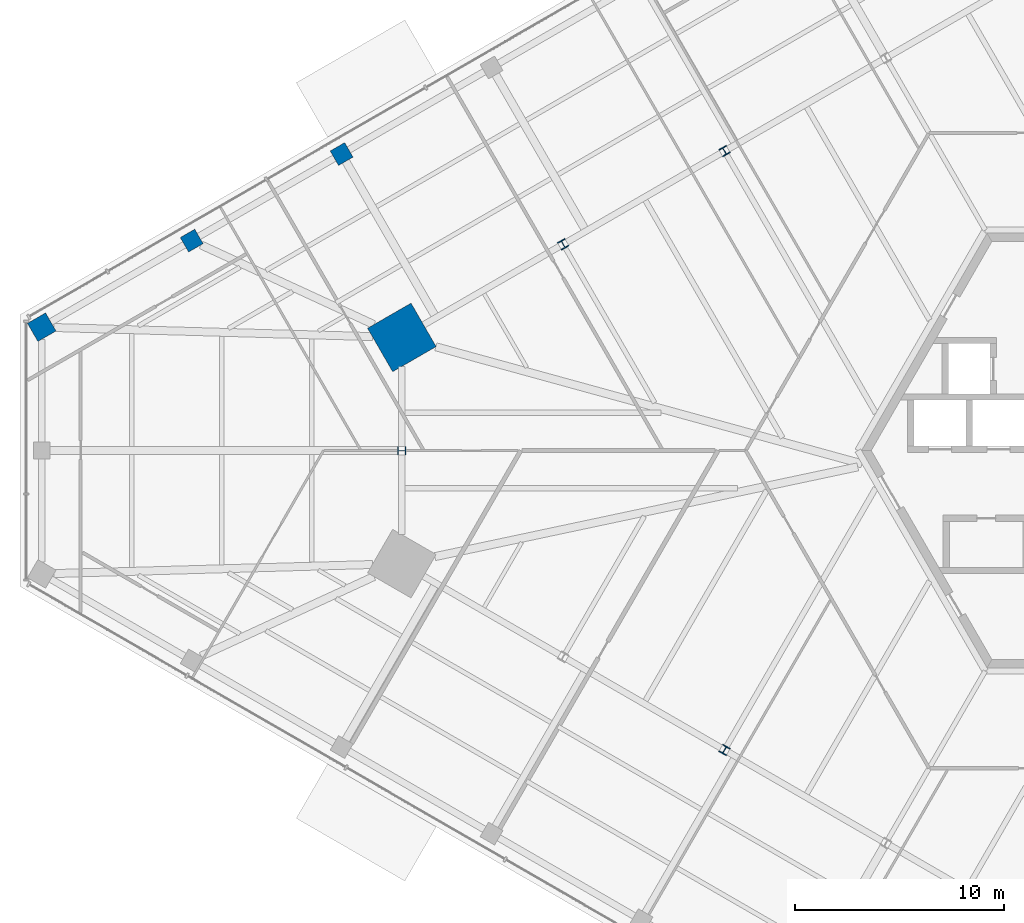
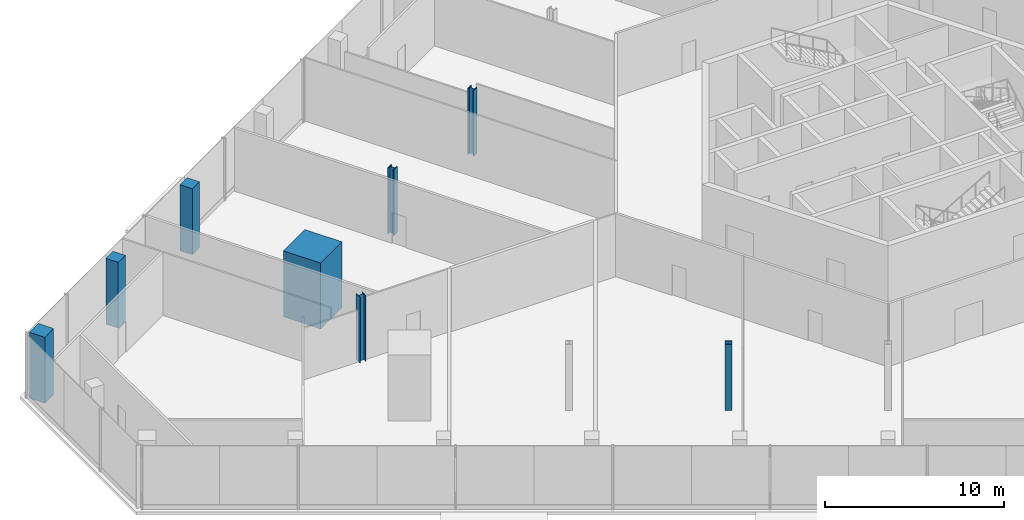
# One storey, part 2 of 27: 8 columns.
"""IFC4 building model written with IfcOpenShell, lengths in metres."""

from ifc_helpers import new_model, si_unit, direction, frame, origin, origin_2d, place, context, subcontext, project, spatial, rectangle, i_section, extrude, source, transform, mapped, material, material_profile, profile_set, type_object, element, save


model = new_model("IFC4")

# Units and contexts
model_context = context("Model", 3, precision=1e-05, world=origin(), true_north=direction((0.0, 1.0)))
body_context = subcontext(model_context, "Body", "Model", "MODEL_VIEW")
ifc_project = project(units=[si_unit("LENGTHUNIT", "METRE"), si_unit("AREAUNIT", "SQUARE_METRE"), si_unit("VOLUMEUNIT", "CUBIC_METRE"), si_unit("PLANEANGLEUNIT", "RADIAN"), si_unit("MASSUNIT", "GRAM", prefix="KILO")], contexts=[model_context])

# Site, building, storey
site_placement = place(None, origin())
site = spatial("IfcSite", under=ifc_project, at=site_placement, CompositionType="ELEMENT")
building_placement = place(site_placement, origin())
building = spatial("IfcBuilding", under=site, at=building_placement, Name="Triune Harvest Tower", CompositionType="ELEMENT")
storey_placement = place(building_placement, frame((0.0, 0.0, 7.0)))
storey = spatial("IfcBuildingStorey", under=building, at=storey_placement, Name="L01", CompositionType="ELEMENT", Elevation=7.0)

# Columns
ifc_material_1 = material(Name="Concrete 70 MPa", Category="concrete")
ifc_material_profile_1 = material_profile(ifc_material_1, rectangle(XDim=2.39990234375, YDim=2.39990234375, at=origin_2d()), Name="Composite 2400x2400")
ifc_profile_set_1 = profile_set([ifc_material_profile_1], Name="Concrete 70 MPa")
column_type_1 = type_object("IfcColumnType", Name="MC-1 Mega column Composite 2400x2400", PredefinedType="COLUMN", material=ifc_profile_set_1)
shared_shape_1 = source(origin(), body_context, "Body", "SweptSolid", [
    extrude(rectangle(XDim=2.39990234375, YDim=2.39990234375, at=origin_2d()), origin(), (0.0, 0.0, 1.0), 4.5),
])
column_1_placement = place(storey_placement, frame((-33.988525390625, 5.409912109375, 0.0), z_axis=(0.0, 0.0, 1.0), x_axis=(-0.866025403784, -0.5, 0.0)))
element("IfcColumn", 1, at=column_1_placement, inside=storey, type_object=column_type_1, Name="col/L01/M14", PredefinedType="COLUMN", context=body_context, shape_type="MappedRepresentation", body=[
    mapped(shared_shape_1, transform((0.0, 0.0, 0.0), scale=1.0)),
])
ifc_material_2 = material(Name="Steel ASTM A992 Gr 50", Category="steel")
ifc_material_profile_2 = material_profile(ifc_material_2, i_section(OverallWidth=0.40380859375, OverallDepth=0.406494140625, WebThickness=0.027099609375, FlangeThickness=0.043701171875, at=origin_2d()), Name="W14x233")
ifc_profile_set_2 = profile_set([ifc_material_profile_2], Name="Steel ASTM A992 Gr 50")
column_type_2 = type_object("IfcColumnType", Name="PC-1 Perimeter column W14x233", PredefinedType="COLUMN", material=ifc_profile_set_2)
shared_shape_2 = source(origin(), body_context, "Body", "SweptSolid", [
    extrude(i_section(OverallWidth=0.40380859375, OverallDepth=0.406494140625, WebThickness=0.027099609375, FlangeThickness=0.043701171875, at=origin_2d()), origin(), (0.0, 0.0, 1.0), 4.5),
])
for number, where, z_axis, x_axis, name in (
    (2, (-18.555908203125, 14.320068359375, 0.0), (0.0, 0.0, 1.0), (-0.866025403784, -0.5, 0.0), "col/L01/P12"),
    (3, (-26.272216796875, 9.864990234375, 0.0), (0.0, 0.0, 1.0), (-0.866025403784, -0.5, 0.0), "col/L01/P13"),
    (4, (-33.988525390625, 0.0, 0.0), (0.0, 0.0, 1.0), (0.0, -1.0, 0.0), "col/L01/P15"),
    (5, (-18.555908203125, -14.320068359375, 0.0), (0.0, 0.0, 1.0), (0.866025403784, -0.5, 0.0), "col/L01/P18"),
):
    element("IfcColumn", number, at=place(storey_placement, frame(where, z_axis=z_axis, x_axis=x_axis)), inside=storey, type_object=column_type_2, Name=name, PredefinedType="COLUMN", context=body_context, shape_type="MappedRepresentation", body=[
        mapped(shared_shape_2, transform((0.0, 0.0, 0.0), scale=1.0)),
    ])
ifc_material_3 = material(Name="Concrete 50 MPa", Category="concrete")
ifc_material_profile_3 = material_profile(ifc_material_3, rectangle(XDim=1.0, YDim=1.0, at=origin_2d()), Name="Concrete 1000x1000")
ifc_profile_set_3 = profile_set([ifc_material_profile_3], Name="Concrete 50 MPa")
column_type_3 = type_object("IfcColumnType", Name="PD-1 Podium column Concrete 1000x1000", PredefinedType="COLUMN", material=ifc_profile_set_3)
shared_shape_3 = source(origin(), body_context, "Body", "SweptSolid", [
    extrude(rectangle(XDim=1.0, YDim=1.0, at=origin_2d()), origin(), (0.0, 0.0, 1.0), 4.5),
])
column_2_placement = place(storey_placement, frame((-51.2109375, 5.89990234375, 0.0), z_axis=(0.0, 0.0, 1.0), x_axis=(-0.866025403784, -0.5, 0.0)))
element("IfcColumn", 6, at=column_2_placement, inside=storey, type_object=column_type_3, Name="col/L01/D22", PredefinedType="COLUMN", context=body_context, shape_type="MappedRepresentation", body=[
    mapped(shared_shape_3, transform((0.0, 0.0, 0.0), scale=1.0)),
])
ifc_material_4 = material(Name="Concrete 50 MPa", Category="concrete")
ifc_material_profile_4 = material_profile(ifc_material_4, rectangle(XDim=0.800048828125, YDim=0.800048828125, at=origin_2d()), Name="Concrete 800x800")
ifc_profile_set_4 = profile_set([ifc_material_profile_4], Name="Concrete 50 MPa")
column_type_4 = type_object("IfcColumnType", Name="PD-2 Podium column Concrete 800x800", PredefinedType="COLUMN", material=ifc_profile_set_4)
shared_shape_4 = source(origin(), body_context, "Body", "SweptSolid", [
    extrude(rectangle(XDim=0.800048828125, YDim=0.800048828125, at=origin_2d()), origin(), (0.0, 0.0, 1.0), 4.5),
])
for number, where, z_axis, x_axis, name in (
    (7, (-36.86962890625, 14.179931640625, 0.0), (0.0, 0.0, 1.0), (-0.866025403784, -0.5, 0.0), "col/L01/D20"),
    (8, (-44.040283203125, 10.0400390625, 0.0), (0.0, 0.0, 1.0), (-0.866025403784, -0.5, 0.0), "col/L01/D21"),
):
    element("IfcColumn", number, at=place(storey_placement, frame(where, z_axis=z_axis, x_axis=x_axis)), inside=storey, type_object=column_type_4, Name=name, PredefinedType="COLUMN", context=body_context, shape_type="MappedRepresentation", body=[
        mapped(shared_shape_4, transform((0.0, 0.0, 0.0), scale=1.0)),
    ])

save(model, "model.ifc")
